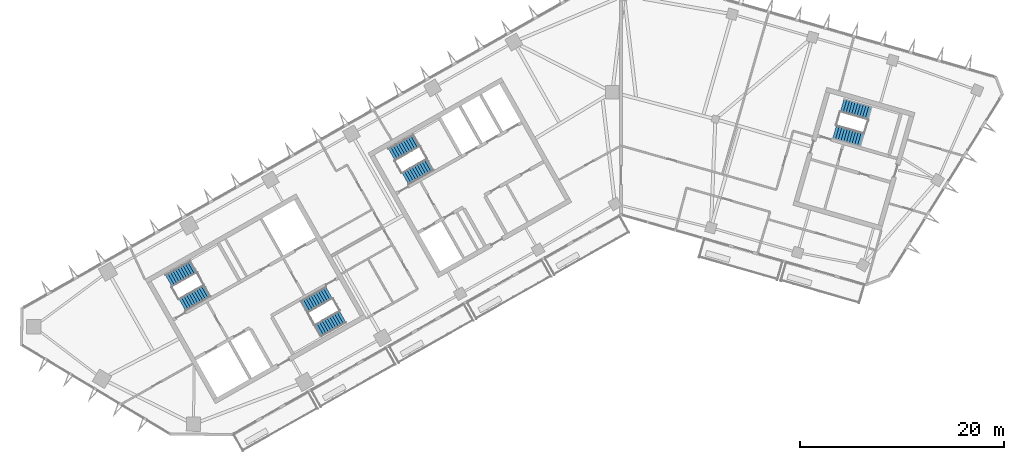
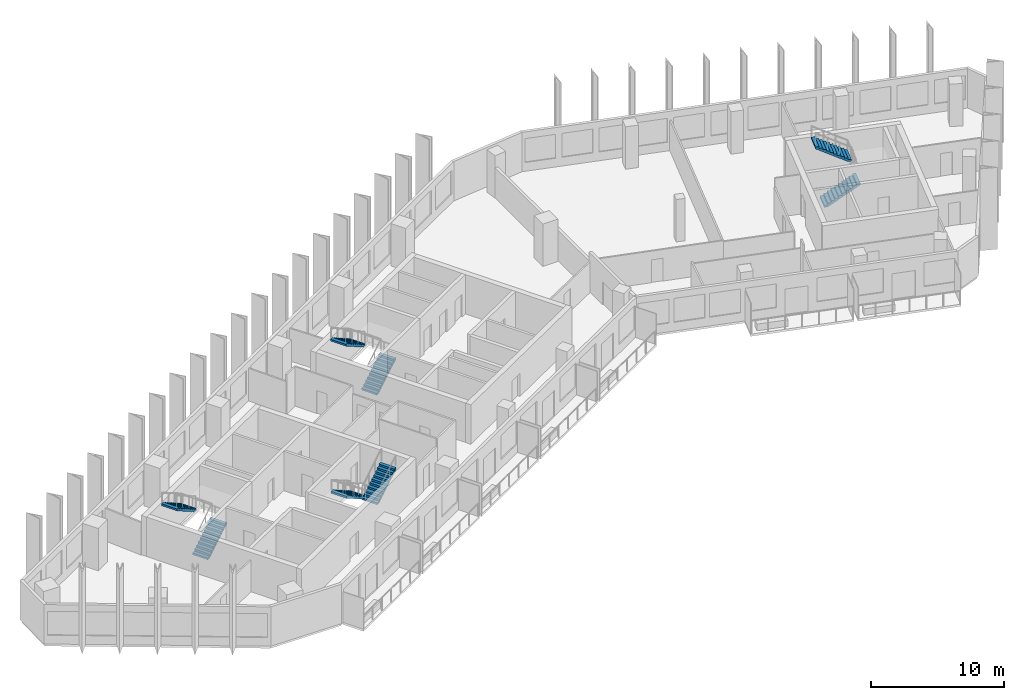
# One storey, part 9 of 12: 8 stair flights, 4 elements without a shape of their own.
"""IFC4 building model written with IfcOpenShell, lengths in metres."""

from ifc_helpers import new_model, si_unit, direction, frame, origin, place, context, subcontext, project, spatial, polyline, outline, extrude, material, type_object, element, aggregate, save


model = new_model("IFC4")

# Units and contexts
model_context = context("Model", 3, precision=1e-05, world=origin(), true_north=direction((0.0, 1.0)))
body_context = subcontext(model_context, "Body", "Model", "MODEL_VIEW")
ifc_project = project(units=[si_unit("LENGTHUNIT", "METRE"), si_unit("AREAUNIT", "SQUARE_METRE"), si_unit("VOLUMEUNIT", "CUBIC_METRE"), si_unit("PLANEANGLEUNIT", "RADIAN"), si_unit("MASSUNIT", "GRAM", prefix="KILO")], contexts=[model_context])

# Site, building, storey
site_placement = place(None, origin())
site = spatial("IfcSite", under=ifc_project, at=site_placement, CompositionType="ELEMENT")
building_placement = place(site_placement, origin())
building = spatial("IfcBuilding", under=site, at=building_placement, Name="Binnacle Exchange Tower", CompositionType="ELEMENT")
storey_placement = place(building_placement, frame((0.0, 0.0, 215.300048828125)))
storey = spatial("IfcBuildingStorey", under=building, at=storey_placement, Name="L47", CompositionType="ELEMENT", Elevation=215.300048828125)

# Stair, stair flights
ifc_material = material(Name="Concrete C35/45", Category="concrete")
stair_type = type_object("IfcStairType", Name="STAIR 22 RISERS 177", PredefinedType="HALF_TURN_STAIR", material=ifc_material)
stair_1_placement = place(storey_placement, origin())
stair_1 = element("IfcStair", 1, at=stair_1_placement, inside=storey, type_object=stair_type, Name="L47 Escape stair A1", PredefinedType="HALF_TURN_STAIR")
stair_flight_type = type_object("IfcStairFlightType", Name="STAIR FLIGHT 177X280", PredefinedType="STRAIGHT", material=ifc_material)
stair_flight_1_placement = place(storey_placement, frame((-42.9541015625, 39.17333984375, 0.0), z_axis=(0.0, 0.0, 1.0), x_axis=(0.870355584213, 0.492423757581, 0.0)))
stair_flight_1 = element("IfcStairFlight", 2, at=stair_flight_1_placement, type_object=stair_flight_type, Name="STA1 flight 1", NumberOfRisers=11, NumberOfTreads=10, PredefinedType="STRAIGHT", RiserHeight=0.177272727, TreadLength=0.28, context=body_context, shape_type="SweptSolid", body=[
    extrude(outline(polyline([(0.0, 0.0), (0.0, 0.17724609375), (0.280029296875, 0.17724609375), (0.280029296875, 0.3544921875), (0.56005859375, 0.3544921875), (0.56005859375, 0.53173828125), (0.840087890625, 0.53173828125), (0.840087890625, 0.708984375), (1.1201171875, 0.708984375), (1.1201171875, 0.886474609375), (1.39990234375, 0.886474609375), (1.39990234375, 1.063720703125), (1.679931640625, 1.063720703125), (1.679931640625, 1.240966796875), (1.9599609375, 1.240966796875), (1.9599609375, 1.418212890625), (2.239990234375, 1.418212890625), (2.239990234375, 1.595458984375), (2.52001953125, 1.595458984375), (2.52001953125, 1.772705078125), (2.800048828125, 1.772705078125), (2.800048828125, 1.949951171875), (2.800048828125, 1.59521484375), (0.2802734375, 0.0), (0.0, 0.0)])), frame((0.0, 0.675048828125, 0.0), z_axis=(0.0, -1.0, 0.0), x_axis=(1.0, 0.0, 0.0)), (0.0, 0.0, 1.0), 1.35009765625),
])
stair_flight_2_placement = place(storey_placement, frame((-41.846435546875, 42.902099609375, 1.949951171875), z_axis=(0.0, 0.0, 1.0), x_axis=(-0.870355584213, -0.492423757581, 0.0)))
stair_flight_2 = element("IfcStairFlight", 3, at=stair_flight_2_placement, type_object=stair_flight_type, Name="STA1 flight 2", NumberOfRisers=11, NumberOfTreads=10, PredefinedType="STRAIGHT", RiserHeight=0.177272727, TreadLength=0.28, context=body_context, shape_type="SweptSolid", body=[
    extrude(outline(polyline([(0.0, 0.0), (0.0, 0.17724609375), (0.280029296875, 0.17724609375), (0.280029296875, 0.3544921875), (0.56005859375, 0.3544921875), (0.56005859375, 0.53173828125), (0.840087890625, 0.53173828125), (0.840087890625, 0.708984375), (1.1201171875, 0.708984375), (1.1201171875, 0.886474609375), (1.39990234375, 0.886474609375), (1.39990234375, 1.063720703125), (1.679931640625, 1.063720703125), (1.679931640625, 1.240966796875), (1.9599609375, 1.240966796875), (1.9599609375, 1.418212890625), (2.239990234375, 1.418212890625), (2.239990234375, 1.595458984375), (2.52001953125, 1.595458984375), (2.52001953125, 1.772705078125), (2.800048828125, 1.772705078125), (2.800048828125, 1.949951171875), (2.800048828125, 1.59521484375), (0.2802734375, 0.0), (0.0, 0.0)])), frame((0.0, 0.675048828125, 0.0), z_axis=(0.0, -1.0, 0.0), x_axis=(1.0, 0.0, 0.0)), (0.0, 0.0, 1.0), 1.35009765625),
])
aggregate(stair_1, [stair_flight_1, stair_flight_2])

stair_2_placement = place(storey_placement, origin())
stair_2 = element("IfcStair", 4, at=stair_2_placement, inside=storey, type_object=stair_type, Name="L47 Escape stair A2", PredefinedType="HALF_TURN_STAIR")
stair_flight_3_placement = place(storey_placement, frame((-28.5732421875, 40.3583984375, 0.0), z_axis=(0.0, 0.0, 1.0), x_axis=(-0.870355584213, -0.492423757581, 0.0)))
stair_flight_3 = element("IfcStairFlight", 5, at=stair_flight_3_placement, type_object=stair_flight_type, Name="STA2 flight 1", NumberOfRisers=11, NumberOfTreads=10, PredefinedType="STRAIGHT", RiserHeight=0.177272727, TreadLength=0.28, context=body_context, shape_type="SweptSolid", body=[
    extrude(outline(polyline([(0.0, 0.0), (0.0, 0.17724609375), (0.280029296875, 0.17724609375), (0.280029296875, 0.3544921875), (0.56005859375, 0.3544921875), (0.56005859375, 0.53173828125), (0.840087890625, 0.53173828125), (0.840087890625, 0.708984375), (1.1201171875, 0.708984375), (1.1201171875, 0.886474609375), (1.39990234375, 0.886474609375), (1.39990234375, 1.063720703125), (1.679931640625, 1.063720703125), (1.679931640625, 1.240966796875), (1.9599609375, 1.240966796875), (1.9599609375, 1.418212890625), (2.239990234375, 1.418212890625), (2.239990234375, 1.595458984375), (2.52001953125, 1.595458984375), (2.52001953125, 1.772705078125), (2.800048828125, 1.772705078125), (2.800048828125, 1.949951171875), (2.800048828125, 1.59521484375), (0.2802734375, 0.0), (0.0, 0.0)])), frame((0.0, 0.675048828125, 0.0), z_axis=(0.0, -1.0, 0.0), x_axis=(1.0, 0.0, 0.0)), (0.0, 0.0, 1.0), 1.35009765625),
])
stair_flight_4_placement = place(storey_placement, frame((-29.6806640625, 36.629638671875, 1.949951171875), z_axis=(0.0, 0.0, 1.0), x_axis=(0.870355584213, 0.492423757581, 0.0)))
stair_flight_4 = element("IfcStairFlight", 6, at=stair_flight_4_placement, type_object=stair_flight_type, Name="STA2 flight 2", NumberOfRisers=11, NumberOfTreads=10, PredefinedType="STRAIGHT", RiserHeight=0.177272727, TreadLength=0.28, context=body_context, shape_type="SweptSolid", body=[
    extrude(outline(polyline([(0.0, 0.0), (0.0, 0.17724609375), (0.280029296875, 0.17724609375), (0.280029296875, 0.3544921875), (0.56005859375, 0.3544921875), (0.56005859375, 0.53173828125), (0.840087890625, 0.53173828125), (0.840087890625, 0.708984375), (1.1201171875, 0.708984375), (1.1201171875, 0.886474609375), (1.39990234375, 0.886474609375), (1.39990234375, 1.063720703125), (1.679931640625, 1.063720703125), (1.679931640625, 1.240966796875), (1.9599609375, 1.240966796875), (1.9599609375, 1.418212890625), (2.239990234375, 1.418212890625), (2.239990234375, 1.595458984375), (2.52001953125, 1.595458984375), (2.52001953125, 1.772705078125), (2.800048828125, 1.772705078125), (2.800048828125, 1.949951171875), (2.800048828125, 1.59521484375), (0.2802734375, 0.0), (0.0, 0.0)])), frame((0.0, 0.675048828125, 0.0), z_axis=(0.0, -1.0, 0.0), x_axis=(1.0, 0.0, 0.0)), (0.0, 0.0, 1.0), 1.35009765625),
])
aggregate(stair_2, [stair_flight_3, stair_flight_4])

stair_3_placement = place(storey_placement, origin())
stair_3 = element("IfcStair", 7, at=stair_3_placement, inside=storey, type_object=stair_type, Name="L47 Escape stair C1", PredefinedType="HALF_TURN_STAIR")
stair_flight_5_placement = place(storey_placement, frame((-21.115966796875, 51.528564453125, 0.0), z_axis=(0.0, 0.0, 1.0), x_axis=(0.870355584213, 0.492423757581, 0.0)))
stair_flight_5 = element("IfcStairFlight", 8, at=stair_flight_5_placement, type_object=stair_flight_type, Name="STC1 flight 1", NumberOfRisers=11, NumberOfTreads=10, PredefinedType="STRAIGHT", RiserHeight=0.177272727, TreadLength=0.28, context=body_context, shape_type="SweptSolid", body=[
    extrude(outline(polyline([(0.0, 0.0), (0.0, 0.17724609375), (0.280029296875, 0.17724609375), (0.280029296875, 0.3544921875), (0.56005859375, 0.3544921875), (0.56005859375, 0.53173828125), (0.840087890625, 0.53173828125), (0.840087890625, 0.708984375), (1.1201171875, 0.708984375), (1.1201171875, 0.886474609375), (1.39990234375, 0.886474609375), (1.39990234375, 1.063720703125), (1.679931640625, 1.063720703125), (1.679931640625, 1.240966796875), (1.9599609375, 1.240966796875), (1.9599609375, 1.418212890625), (2.239990234375, 1.418212890625), (2.239990234375, 1.595458984375), (2.52001953125, 1.595458984375), (2.52001953125, 1.772705078125), (2.800048828125, 1.772705078125), (2.800048828125, 1.949951171875), (2.800048828125, 1.59521484375), (0.2802734375, 0.0), (0.0, 0.0)])), frame((0.0, 0.675048828125, 0.0), z_axis=(0.0, -1.0, 0.0), x_axis=(1.0, 0.0, 0.0)), (0.0, 0.0, 1.0), 1.35009765625),
])
stair_flight_6_placement = place(storey_placement, frame((-20.008544921875, 55.25732421875, 1.949951171875), z_axis=(0.0, 0.0, 1.0), x_axis=(-0.870355584213, -0.492423757581, 0.0)))
stair_flight_6 = element("IfcStairFlight", 9, at=stair_flight_6_placement, type_object=stair_flight_type, Name="STC1 flight 2", NumberOfRisers=11, NumberOfTreads=10, PredefinedType="STRAIGHT", RiserHeight=0.177272727, TreadLength=0.28, context=body_context, shape_type="SweptSolid", body=[
    extrude(outline(polyline([(0.0, 0.0), (0.0, 0.17724609375), (0.280029296875, 0.17724609375), (0.280029296875, 0.3544921875), (0.56005859375, 0.3544921875), (0.56005859375, 0.53173828125), (0.840087890625, 0.53173828125), (0.840087890625, 0.708984375), (1.1201171875, 0.708984375), (1.1201171875, 0.886474609375), (1.39990234375, 0.886474609375), (1.39990234375, 1.063720703125), (1.679931640625, 1.063720703125), (1.679931640625, 1.240966796875), (1.9599609375, 1.240966796875), (1.9599609375, 1.418212890625), (2.239990234375, 1.418212890625), (2.239990234375, 1.595458984375), (2.52001953125, 1.595458984375), (2.52001953125, 1.772705078125), (2.800048828125, 1.772705078125), (2.800048828125, 1.949951171875), (2.800048828125, 1.59521484375), (0.2802734375, 0.0), (0.0, 0.0)])), frame((0.0, 0.675048828125, 0.0), z_axis=(0.0, -1.0, 0.0), x_axis=(1.0, 0.0, 0.0)), (0.0, 0.0, 1.0), 1.35009765625),
])
aggregate(stair_3, [stair_flight_5, stair_flight_6])

stair_4_placement = place(storey_placement, origin())
stair_4 = element("IfcStair", 10, at=stair_4_placement, inside=storey, type_object=stair_type, Name="L47 Escape stair D1", PredefinedType="HALF_TURN_STAIR")
stair_flight_7_placement = place(storey_placement, frame((20.914306640625, 56.109619140625, 0.0), z_axis=(0.0, 0.0, 1.0), x_axis=(0.961261811397, -0.275636953165, 0.0)))
stair_flight_7 = element("IfcStairFlight", 11, at=stair_flight_7_placement, type_object=stair_flight_type, Name="STD1 flight 1", NumberOfRisers=11, NumberOfTreads=10, PredefinedType="STRAIGHT", RiserHeight=0.177272727, TreadLength=0.28, context=body_context, shape_type="SweptSolid", body=[
    extrude(outline(polyline([(0.0, 0.0), (0.0, 0.17724609375), (0.280029296875, 0.17724609375), (0.280029296875, 0.3544921875), (0.56005859375, 0.3544921875), (0.56005859375, 0.53173828125), (0.840087890625, 0.53173828125), (0.840087890625, 0.708984375), (1.1201171875, 0.708984375), (1.1201171875, 0.886474609375), (1.39990234375, 0.886474609375), (1.39990234375, 1.063720703125), (1.679931640625, 1.063720703125), (1.679931640625, 1.240966796875), (1.9599609375, 1.240966796875), (1.9599609375, 1.418212890625), (2.239990234375, 1.418212890625), (2.239990234375, 1.595458984375), (2.52001953125, 1.595458984375), (2.52001953125, 1.772705078125), (2.800048828125, 1.772705078125), (2.800048828125, 1.949951171875), (2.800048828125, 1.59521484375), (0.2802734375, 0.0), (0.0, 0.0)])), frame((0.0, 0.675048828125, 0.0), z_axis=(0.0, -1.0, 0.0), x_axis=(1.0, 0.0, 0.0)), (0.0, 0.0, 1.0), 1.35009765625),
])
stair_flight_8_placement = place(storey_placement, frame((24.35009765625, 57.93310546875, 1.949951171875), z_axis=(0.0, 0.0, 1.0), x_axis=(-0.961261811397, 0.275636953165, 0.0)))
stair_flight_8 = element("IfcStairFlight", 12, at=stair_flight_8_placement, type_object=stair_flight_type, Name="STD1 flight 2", NumberOfRisers=11, NumberOfTreads=10, PredefinedType="STRAIGHT", RiserHeight=0.177272727, TreadLength=0.28, context=body_context, shape_type="SweptSolid", body=[
    extrude(outline(polyline([(0.0, 0.0), (0.0, 0.17724609375), (0.280029296875, 0.17724609375), (0.280029296875, 0.3544921875), (0.56005859375, 0.3544921875), (0.56005859375, 0.53173828125), (0.840087890625, 0.53173828125), (0.840087890625, 0.708984375), (1.1201171875, 0.708984375), (1.1201171875, 0.886474609375), (1.39990234375, 0.886474609375), (1.39990234375, 1.063720703125), (1.679931640625, 1.063720703125), (1.679931640625, 1.240966796875), (1.9599609375, 1.240966796875), (1.9599609375, 1.418212890625), (2.239990234375, 1.418212890625), (2.239990234375, 1.595458984375), (2.52001953125, 1.595458984375), (2.52001953125, 1.772705078125), (2.800048828125, 1.772705078125), (2.800048828125, 1.949951171875), (2.800048828125, 1.59521484375), (0.2802734375, 0.0), (0.0, 0.0)])), frame((0.0, 0.675048828125, 0.0), z_axis=(0.0, -1.0, 0.0), x_axis=(1.0, 0.0, 0.0)), (0.0, 0.0, 1.0), 1.35009765625),
])
aggregate(stair_4, [stair_flight_7, stair_flight_8])

save(model, "model.ifc")
